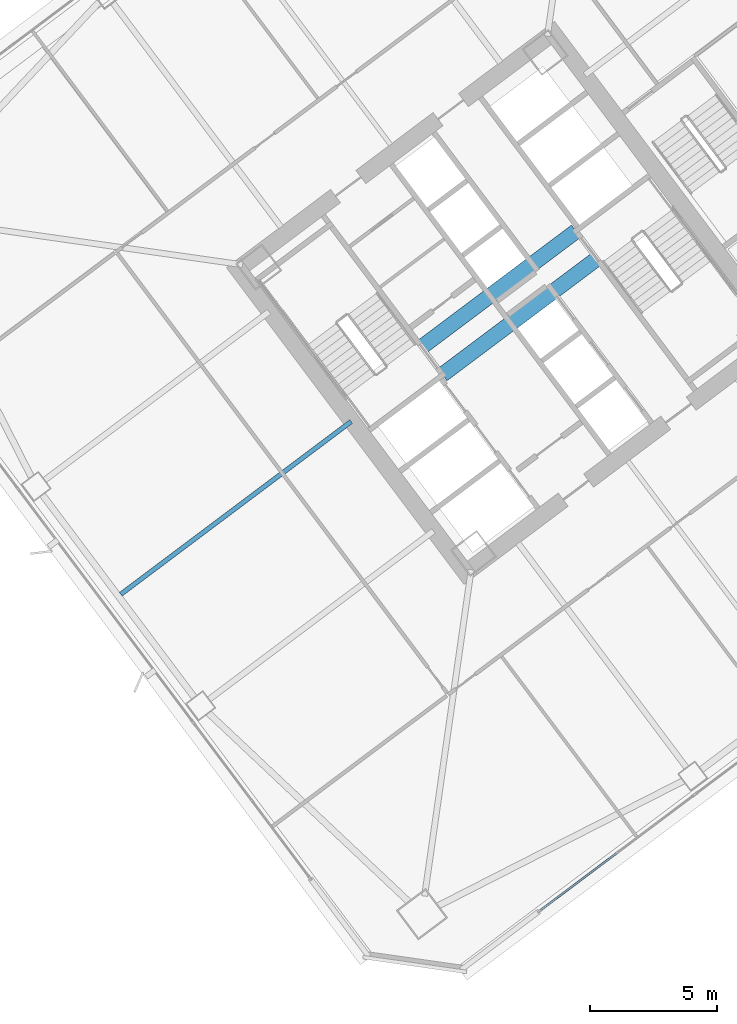
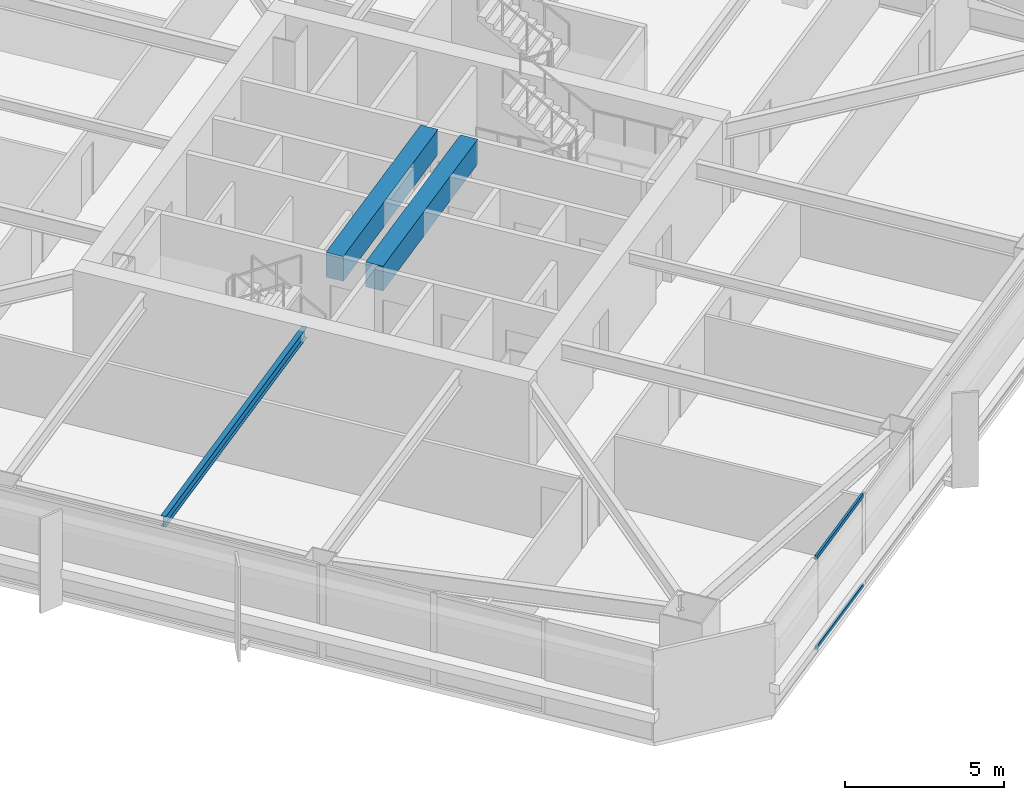
# One storey, part 24 of 49: 3 beams, 2 members, 1 element without a shape of its own.
"""IFC4 building model written with IfcOpenShell, lengths in metres."""

from ifc_helpers import new_model, si_unit, direction, frame, origin, origin_2d, place, context, subcontext, project, spatial, rectangle, hollow_rectangle, i_section, extrude, material, material_profile, profile_set, type_object, element, aggregate, save


model = new_model("IFC4")

# Units and contexts
model_context = context("Model", 3, precision=1e-05, world=origin(), true_north=direction((0.0, 1.0)))
body_context = subcontext(model_context, "Body", "Model", "MODEL_VIEW")
ifc_project = project(units=[si_unit("LENGTHUNIT", "METRE"), si_unit("AREAUNIT", "SQUARE_METRE"), si_unit("VOLUMEUNIT", "CUBIC_METRE"), si_unit("PLANEANGLEUNIT", "RADIAN"), si_unit("MASSUNIT", "GRAM", prefix="KILO")], contexts=[model_context])

# Site, building, storey
site_placement = place(None, origin())
site = spatial("IfcSite", under=ifc_project, at=site_placement, CompositionType="ELEMENT")
building_placement = place(site_placement, origin())
building = spatial("IfcBuilding", under=site, at=building_placement, Name="Tashvorn Skyway Center", CompositionType="ELEMENT")
storey_placement = place(building_placement, frame((0.0, 0.0, 70.75)))
storey = spatial("IfcBuildingStorey", under=building, at=storey_placement, Name="L18", CompositionType="ELEMENT", Elevation=70.75)

# Beams
ifc_material_1 = material(Name="Steel ASTM A992 Grade 50", Category="steel")
ifc_material_profile_1 = material_profile(ifc_material_1, i_section(OverallWidth=0.177978515625, OverallDepth=0.406005859375, WebThickness=0.0078125, FlangeThickness=0.0126953125, at=origin_2d()), Name="W16X40")
ifc_profile_set_1 = profile_set([ifc_material_profile_1], Name="Steel ASTM A992 Grade 50")
beam_type_1 = type_object("IfcBeamType", Name="BM-JOIST-W16X40", PredefinedType="JOIST", material=ifc_profile_set_1)
beam_placement = place(storey_placement, frame((107.76806640625, 27.325927734375, 3.14697265625), z_axis=(-0.800002583493, -0.599996555327, 0.0), x_axis=(0.599996555327, -0.800002583493, 0.0)))
element("IfcBeam", 1, at=beam_placement, inside=storey, type_object=beam_type_1, Name="Tower 2 L18 Secondary Composite Joist JW", PredefinedType="JOIST", context=body_context, shape_type="SweptSolid", body=[
    extrude(i_section(OverallWidth=0.177978515625, OverallDepth=0.406005859375, WebThickness=0.0078125, FlangeThickness=0.0126953125, at=origin_2d()), origin(), (0.0, 0.0, 1.0), 11.340087890625),
])
ifc_material_2 = material(Name="Concrete C60/75", Category="concrete")
ifc_material_profile_2 = material_profile(ifc_material_2, rectangle(XDim=0.60009765625, YDim=0.949951171875, at=origin_2d()), Name="RCB600x950")
ifc_profile_set_2 = profile_set([ifc_material_profile_2], Name="Concrete C60/75")
beam_type_2 = type_object("IfcBeamType", Name="BM-LINTEL-RCB600x950", PredefinedType="LINTEL", material=ifc_profile_set_2)
for number, where, z_axis, x_axis, name in (
    (2, (110.552001953125, 30.263916015625, 2.875), (0.8, 0.6, 0.0), (-0.6, 0.8, 0.0), "Tower 2 L18 Core Coupling Beam CN"),
    (3, (111.367919921875, 29.176025390625, 2.875), (0.8, 0.6, 0.0), (-0.6, 0.8, 0.0), "Tower 2 L18 Core Coupling Beam CS"),
):
    element("IfcBeam", number, at=place(storey_placement, frame(where, z_axis=z_axis, x_axis=x_axis)), inside=storey, type_object=beam_type_2, Name=name, PredefinedType="LINTEL", context=body_context, shape_type="SweptSolid", body=[
        extrude(rectangle(XDim=0.60009765625, YDim=0.949951171875, at=origin_2d()), origin(), (0.0, 0.0, 1.0), 7.60009765625),
    ])

# Curtain wall, members
ifc_material_3 = material(Name="Thermally broken bronze-anodized aluminium 6063-T6", Category="aluminium")
curtain_wall_type = type_object("IfcCurtainWallType", Name="CW-CW-Z2", PredefinedType="NOTDEFINED", material=ifc_material_3)
curtain_wall_placement = place(storey_placement, origin())
curtain_wall = element("IfcCurtainWall", 4, at=curtain_wall_placement, inside=storey, type_object=curtain_wall_type, Name="Tower 2 L18 South Unitised Curtain Wall Glazing Group 3", PredefinedType="NOTDEFINED")
ifc_material_profile_3 = material_profile(ifc_material_3, hollow_rectangle(XDim=0.080078125, YDim=0.14990234375, WallThickness=0.00439453125, at=origin_2d()), Name="ALU-TRAN-80x150")
ifc_profile_set_3 = profile_set([ifc_material_profile_3], Name="Thermally broken bronze-anodized aluminium 6063-T6")
member_type = type_object("IfcMemberType", Name="CWT-CW-Z2", PredefinedType="USERDEFINED", material=ifc_profile_set_3)
member_1_placement = place(storey_placement, frame((118.216064453125, 10.31201171875, 0.0400390625), z_axis=(-0.80001575065, -0.599978998559, 0.0), x_axis=(0.599978998559, -0.80001575065, 0.0)))
member_1 = element("IfcMember", 5, at=member_1_placement, type_object=member_type, Name="CW-Z2 transom 2.1", ObjectType="TRANSOM", PredefinedType="USERDEFINED", context=body_context, shape_type="SweptSolid", body=[
    extrude(hollow_rectangle(XDim=0.080078125, YDim=0.14990234375, WallThickness=0.00439453125, at=origin_2d()), origin(), (0.0, 0.0, 1.0), 3.719970703125),
])
member_2_placement = place(storey_placement, frame((118.216064453125, 10.31201171875, 3.510009765625), z_axis=(-0.80001575065, -0.599978998559, 0.0), x_axis=(0.599978998559, -0.80001575065, 0.0)))
member_2 = element("IfcMember", 6, at=member_2_placement, type_object=member_type, Name="CW-Z2 transom 2.2", ObjectType="TRANSOM", PredefinedType="USERDEFINED", context=body_context, shape_type="SweptSolid", body=[
    extrude(hollow_rectangle(XDim=0.080078125, YDim=0.14990234375, WallThickness=0.00439453125, at=origin_2d()), origin(), (0.0, 0.0, 1.0), 3.719970703125),
])
aggregate(curtain_wall, [member_1, member_2])

save(model, "model.ifc")
